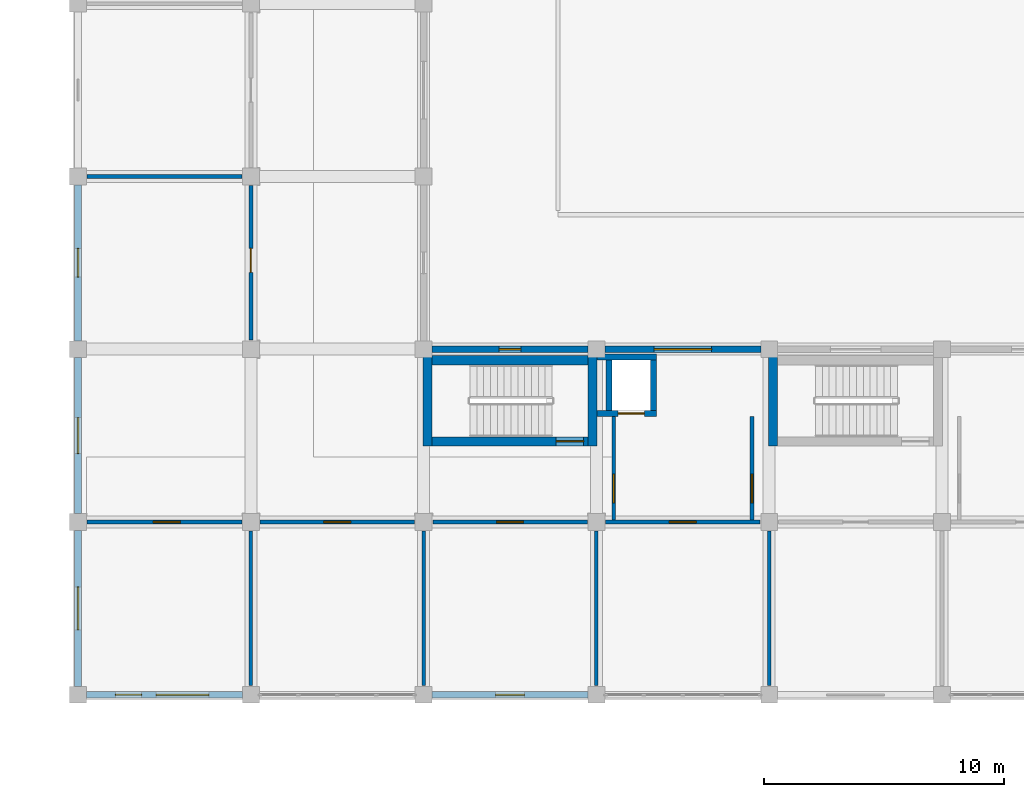
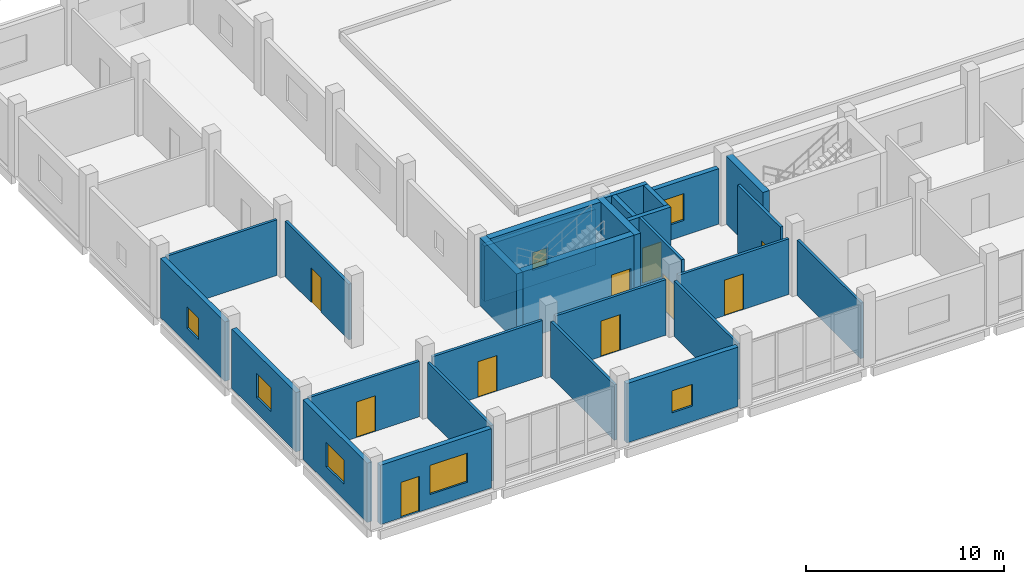
# One storey, part 110 of 139: 28 walls, 10 doors, 7 windows, 17 openings.
"""IFC4 building model written with IfcOpenShell, lengths in metres."""

from ifc_helpers import new_model, si_unit, direction, frame, frame_2d, origin, place, context, subcontext, project, spatial, rectangle, extrude, material, layer, layer_set, type_object, element, fill, save


model = new_model("IFC4")

# Units and contexts
model_context = context("Model", 3, precision=1e-05, world=origin(), true_north=direction((0.0, 1.0)))
body_context = subcontext(model_context, "Body", "Model", "MODEL_VIEW")
ifc_project = project(units=[si_unit("LENGTHUNIT", "METRE"), si_unit("AREAUNIT", "SQUARE_METRE"), si_unit("VOLUMEUNIT", "CUBIC_METRE"), si_unit("PLANEANGLEUNIT", "RADIAN"), si_unit("MASSUNIT", "GRAM", prefix="KILO")], contexts=[model_context])

# Site, building, storey
site_placement = place(None, origin())
site = spatial("IfcSite", under=ifc_project, at=site_placement, CompositionType="ELEMENT")
building_placement = place(site_placement, origin())
building = spatial("IfcBuilding", under=site, at=building_placement, Name="Suanplinth Sawtooth Commons", CompositionType="ELEMENT")
storey_placement = place(building_placement, origin())
storey = spatial("IfcBuildingStorey", under=building, at=storey_placement, Name="L00", CompositionType="ELEMENT", Elevation=0.0)

# Wall, opening, door
ifc_material_1 = material(Name="Concrete C40/50", Category="concrete")
ifc_layer_1 = layer(ifc_material_1, 0.3798828125, Name="Lower high-rise RC core shear wall 380mm")
ifc_layer_set_1 = layer_set([ifc_layer_1], Name="Concrete C40/50")
wall_type_1 = type_object("IfcWallType", Name="W-CR01", PredefinedType="SHEAR", material=ifc_layer_set_1)
wall_1_placement = place(storey_placement, frame((14.75, 10.56005859375, 0.0), z_axis=(0.0, 0.0, 1.0), x_axis=(1.0, 0.0, 0.0)))
wall_1 = element("IfcWall", 1, at=wall_1_placement, inside=storey, type_object=wall_type_1, Name="W-L00-C-D1-STS", PredefinedType="SHEAR", context=body_context, shape_type="SweptSolid", body=[
    extrude(rectangle(XDim=6.5, YDim=0.3798828125, at=frame_2d((3.25, 0.0))), origin(), (0.0, 0.0, 1.0), 4.199951171875),
])
opening_1_placement = place(wall_1_placement, frame((5.169921875, 0.0, 0.0)))
opening_1 = element("IfcOpeningElement", 2, at=opening_1_placement, cuts=wall_1, Name="Opening FD0361", PredefinedType="OPENING", context=body_context, shape_type="SweptSolid", body=[
    extrude(rectangle(XDim=1.14990234375, YDim=2.199951171875, at=frame_2d((0.574951171875, 1.10009765625))), frame((0.0, 0.204833984375, 0.0), z_axis=(0.0, -1.0, 0.0), x_axis=(1.0, 0.0, 0.0)), (0.0, 0.0, 1.0), 0.40966796875),
])
ifc_material_2 = material(Name="Teak hardwood fire-rated door assembly", Category="wood")
door_type_1 = type_object("IfcDoorType", Name="FD-01", OperationType="NOTDEFINED", PredefinedType="DOOR", material=ifc_material_2)
door_1_placement = place(opening_1_placement, frame((1.14990234375, 0.0, 0.0), z_axis=(0.0, 0.0, 1.0), x_axis=(-1.0, 0.0, 0.0)))
door_1 = element("IfcDoor", 3, at=door_1_placement, inside=storey, type_object=door_type_1, Name="Exit Stair Fire Door FD0361", OperationType="SINGLE_SWING_LEFT", OverallHeight=2.199951171875, OverallWidth=1.14990234375, PredefinedType="DOOR", context=body_context, shape_type="SweptSolid", body=[
    extrude(rectangle(XDim=1.14990234375, YDim=2.199951171875, at=frame_2d((0.574951171875, 1.10009765625))), frame((0.0, 0.02490234375, 0.0), z_axis=(0.0, -1.0, 0.0), x_axis=(1.0, 0.0, 0.0)), (0.0, 0.0, 1.0), 0.050048828125),
])
fill(opening_1, door_1)

# Walls
wall_2_placement = place(storey_placement, frame((14.75, 13.93994140625, 0.0), z_axis=(0.0, 0.0, 1.0), x_axis=(1.0, 0.0, 0.0)))
element("IfcWall", 4, at=wall_2_placement, inside=storey, type_object=wall_type_1, Name="W-L00-C-D1-STN", PredefinedType="SHEAR", context=body_context, shape_type="SweptSolid", body=[
    extrude(rectangle(XDim=6.5, YDim=0.3798828125, at=frame_2d((3.25, 0.0))), origin(), (0.0, 0.0, 1.0), 4.199951171875),
])
wall_3_placement = place(storey_placement, frame((14.56005859375, 10.3701171875, 0.0), z_axis=(0.0, 0.0, 1.0), x_axis=(0.0, 1.0, 0.0)))
element("IfcWall", 5, at=wall_3_placement, inside=storey, type_object=wall_type_1, Name="W-L00-C-D1-STW", PredefinedType="SHEAR", context=body_context, shape_type="SweptSolid", body=[
    extrude(rectangle(XDim=3.759765625, YDim=0.3798828125, at=frame_2d((1.8798828125, 0.0))), origin(), (0.0, 0.0, 1.0), 4.199951171875),
])
wall_4_placement = place(storey_placement, frame((21.43994140625, 10.3701171875, 0.0), z_axis=(0.0, 0.0, 1.0), x_axis=(0.0, 1.0, 0.0)))
element("IfcWall", 6, at=wall_4_placement, inside=storey, type_object=wall_type_1, Name="W-L00-C-D1-STE", PredefinedType="SHEAR", context=body_context, shape_type="SweptSolid", body=[
    extrude(rectangle(XDim=3.829833984375, YDim=0.3798828125, at=frame_2d((1.9150390625, 0.0))), origin(), (0.0, 0.0, 1.0), 4.199951171875),
])
wall_5_placement = place(storey_placement, frame((28.9599609375, 10.3701171875, 0.0), z_axis=(0.0, 0.0, 1.0), x_axis=(0.0, 1.0, 0.0)))
element("IfcWall", 7, at=wall_5_placement, inside=storey, type_object=wall_type_1, Name="W-L00-C-D2-STW", PredefinedType="SHEAR", context=body_context, shape_type="SweptSolid", body=[
    extrude(rectangle(XDim=3.759765625, YDim=0.3798828125, at=frame_2d((1.8798828125, 0.0))), origin(), (0.0, 0.0, 1.0), 4.199951171875),
])

# Wall, openings, door, window
ifc_material_3 = material(Name="Precast concrete C40/50", Category="concrete")
ifc_layer_2 = layer(ifc_material_3, 0.280029296875, Name="Insulated precast architectural facade wall 280mm")
ifc_layer_set_2 = layer_set([ifc_layer_2], Name="Precast concrete C40/50")
wall_type_2 = type_object("IfcWallType", Name="W-EX01", PredefinedType="ELEMENTEDWALL", material=ifc_layer_set_2)
wall_6_placement = place(storey_placement, frame((0.35009765625, 0.0, 0.0), z_axis=(0.0, 0.0, 1.0), x_axis=(1.0, 0.0, 0.0)))
wall_6 = element("IfcWall", 8, at=wall_6_placement, inside=storey, type_object=wall_type_2, Name="Facade Wall W-L00-D-S-0-0", PredefinedType="ELEMENTEDWALL", context=body_context, shape_type="SweptSolid", body=[
    extrude(rectangle(XDim=6.5, YDim=0.280029296875, at=frame_2d((3.25, 0.0))), origin(), (0.0, 0.0, 1.0), 3.6650390625),
])
opening_2_placement = place(wall_6_placement, frame((1.199951171875, 0.0, 0.0)))
opening_2 = element("IfcOpeningElement", 9, at=opening_2_placement, cuts=wall_6, Name="Opening ED0036", PredefinedType="OPENING", context=body_context, shape_type="SweptSolid", body=[
    extrude(rectangle(XDim=1.10009765625, YDim=2.199951171875, at=frame_2d((0.550048828125, 1.10009765625))), frame((0.0, 0.15478515625, 0.0), z_axis=(0.0, -1.0, 0.0), x_axis=(1.0, 0.0, 0.0)), (0.0, 0.0, 1.0), 0.309814453125),
])
opening_3_placement = place(wall_6_placement, frame((2.89990234375, 0.0, 0.85009765625)))
opening_3 = element("IfcOpeningElement", 10, at=opening_3_placement, cuts=wall_6, Name="Opening W0145", PredefinedType="OPENING", context=body_context, shape_type="SweptSolid", body=[
    extrude(rectangle(XDim=2.199951171875, YDim=1.800048828125, at=frame_2d((1.10009765625, 0.89990234375))), frame((0.0, 0.15478515625, 0.0), z_axis=(0.0, -1.0, 0.0), x_axis=(1.0, 0.0, 0.0)), (0.0, 0.0, 1.0), 0.309814453125),
])
ifc_material_4 = material(Name="Anodized aluminium and clear glass", Category="aluminium")
door_type_2 = type_object("IfcDoorType", Name="ED-06", OperationType="NOTDEFINED", PredefinedType="DOOR", material=ifc_material_4)
door_2_placement = place(opening_2_placement, frame((1.10009765625, 0.0, 0.0), z_axis=(0.0, 0.0, 1.0), x_axis=(-1.0, 0.0, 0.0)))
door_2 = element("IfcDoor", 11, at=door_2_placement, inside=storey, type_object=door_type_2, Name="Ground Shop Entrance D-0", OperationType="SINGLE_SWING_LEFT", OverallHeight=2.199951171875, OverallWidth=1.10009765625, PredefinedType="DOOR", context=body_context, shape_type="SweptSolid", body=[
    extrude(rectangle(XDim=1.10009765625, YDim=2.199951171875, at=frame_2d((0.550048828125, 1.10009765625))), frame((0.0, 0.02490234375, 0.0), z_axis=(0.0, -1.0, 0.0), x_axis=(1.0, 0.0, 0.0)), (0.0, 0.0, 1.0), 0.050048828125),
])
fill(opening_2, door_2)
ifc_material_5 = material(Name="Thermally broken aluminium and low-E double glazing", Category="aluminium")
window_type_1 = type_object("IfcWindowType", Name="WN-11", PartitioningType="TRIPLE_PANEL_VERTICAL", PredefinedType="WINDOW", material=ifc_material_5)
window_1_placement = place(opening_3_placement, origin())
window_1 = element("IfcWindow", 12, at=window_1_placement, inside=storey, type_object=window_type_1, Name="Shopfront Window D-0", OverallHeight=1.800048828125, OverallWidth=2.199951171875, PartitioningType="TRIPLE_PANEL_VERTICAL", PredefinedType="WINDOW", context=body_context, shape_type="SweptSolid", body=[
    extrude(rectangle(XDim=2.199951171875, YDim=1.800048828125, at=frame_2d((1.10009765625, 0.89990234375))), frame((0.0, 0.030029296875, 0.0), z_axis=(0.0, -1.0, 0.0), x_axis=(1.0, 0.0, 0.0)), (0.0, 0.0, 1.0), 0.06005859375),
])
fill(opening_3, window_1)

# Wall, opening, window
wall_7_placement = place(storey_placement, frame((0.0, 0.35009765625, 0.0), z_axis=(0.0, 0.0, 1.0), x_axis=(0.0, 1.0, 0.0)))
wall_7 = element("IfcWall", 13, at=wall_7_placement, inside=storey, type_object=wall_type_2, Name="Facade Wall W-L00-D-W-0-0", PredefinedType="ELEMENTEDWALL", context=body_context, shape_type="SweptSolid", body=[
    extrude(rectangle(XDim=6.5, YDim=0.280029296875, at=frame_2d((3.25, 0.0))), origin(), (0.0, 0.0, 1.0), 3.6650390625),
])
opening_4_placement = place(wall_7_placement, frame((2.35009765625, 0.0, 0.949951171875)))
opening_4 = element("IfcOpeningElement", 14, at=opening_4_placement, cuts=wall_7, Name="Opening W0146", PredefinedType="OPENING", context=body_context, shape_type="SweptSolid", body=[
    extrude(rectangle(XDim=1.800048828125, YDim=1.5, at=frame_2d((0.89990234375, 0.75))), frame((0.0, 0.15478515625, 0.0), z_axis=(0.0, -1.0, 0.0), x_axis=(1.0, 0.0, 0.0)), (0.0, 0.0, 1.0), 0.309814453125),
])
window_type_2 = type_object("IfcWindowType", Name="WN-01", PartitioningType="DOUBLE_PANEL_VERTICAL", PredefinedType="WINDOW", material=ifc_material_5)
window_2_placement = place(opening_4_placement, origin())
window_2 = element("IfcWindow", 15, at=window_2_placement, inside=storey, type_object=window_type_2, Name="Window L00-D-W-0-0", OverallHeight=1.5, OverallWidth=1.800048828125, PartitioningType="DOUBLE_PANEL_VERTICAL", PredefinedType="WINDOW", context=body_context, shape_type="SweptSolid", body=[
    extrude(rectangle(XDim=1.800048828125, YDim=1.5, at=frame_2d((0.89990234375, 0.75))), frame((0.0, 0.030029296875, 0.0), z_axis=(0.0, -1.0, 0.0), x_axis=(1.0, 0.0, 0.0)), (0.0, 0.0, 1.0), 0.06005859375),
])
fill(opening_4, window_2)

wall_8_placement = place(storey_placement, frame((0.0, 7.550048828125, 0.0), z_axis=(0.0, 0.0, 1.0), x_axis=(0.0, 1.0, 0.0)))
wall_8 = element("IfcWall", 16, at=wall_8_placement, inside=storey, type_object=wall_type_2, Name="Facade Wall W-L00-D-W-0-1", PredefinedType="ELEMENTEDWALL", context=body_context, shape_type="SweptSolid", body=[
    extrude(rectangle(XDim=6.5, YDim=0.280029296875, at=frame_2d((3.25, 0.0))), origin(), (0.0, 0.0, 1.0), 3.6650390625),
])
opening_5_placement = place(wall_8_placement, frame((2.5, 0.0, 0.949951171875)))
opening_5 = element("IfcOpeningElement", 17, at=opening_5_placement, cuts=wall_8, Name="Opening W0147", PredefinedType="OPENING", context=body_context, shape_type="SweptSolid", body=[
    extrude(rectangle(XDim=1.5, YDim=1.5, at=frame_2d((0.75, 0.75))), frame((0.0, 0.15478515625, 0.0), z_axis=(0.0, -1.0, 0.0), x_axis=(1.0, 0.0, 0.0)), (0.0, 0.0, 1.0), 0.309814453125),
])
window_type_3 = type_object("IfcWindowType", Name="WN-02", PartitioningType="DOUBLE_PANEL_VERTICAL", PredefinedType="WINDOW", material=ifc_material_5)
window_3_placement = place(opening_5_placement, origin())
window_3 = element("IfcWindow", 18, at=window_3_placement, inside=storey, type_object=window_type_3, Name="Window L00-D-W-0-1", OverallHeight=1.5, OverallWidth=1.5, PartitioningType="DOUBLE_PANEL_VERTICAL", PredefinedType="WINDOW", context=body_context, shape_type="SweptSolid", body=[
    extrude(rectangle(XDim=1.5, YDim=1.5, at=frame_2d((0.75, 0.75))), frame((0.0, 0.030029296875, 0.0), z_axis=(0.0, -1.0, 0.0), x_axis=(1.0, 0.0, 0.0)), (0.0, 0.0, 1.0), 0.06005859375),
])
fill(opening_5, window_3)

wall_9_placement = place(storey_placement, frame((0.0, 14.75, 0.0), z_axis=(0.0, 0.0, 1.0), x_axis=(0.0, 1.0, 0.0)))
wall_9 = element("IfcWall", 19, at=wall_9_placement, inside=storey, type_object=wall_type_2, Name="Facade Wall W-L00-D-W-0-2", PredefinedType="ELEMENTEDWALL", context=body_context, shape_type="SweptSolid", body=[
    extrude(rectangle(XDim=6.5, YDim=0.280029296875, at=frame_2d((3.25, 0.0))), origin(), (0.0, 0.0, 1.0), 3.6650390625),
])
opening_6_placement = place(wall_9_placement, frame((2.64990234375, 0.0, 0.949951171875)))
opening_6 = element("IfcOpeningElement", 20, at=opening_6_placement, cuts=wall_9, Name="Opening W0148", PredefinedType="OPENING", context=body_context, shape_type="SweptSolid", body=[
    extrude(rectangle(XDim=1.199951171875, YDim=1.35009765625, at=frame_2d((0.60009765625, 0.675048828125))), frame((0.0, 0.15478515625, 0.0), z_axis=(0.0, -1.0, 0.0), x_axis=(1.0, 0.0, 0.0)), (0.0, 0.0, 1.0), 0.309814453125),
])
window_type_4 = type_object("IfcWindowType", Name="WN-03", PartitioningType="SINGLE_PANEL", PredefinedType="WINDOW", material=ifc_material_5)
window_4_placement = place(opening_6_placement, origin())
window_4 = element("IfcWindow", 21, at=window_4_placement, inside=storey, type_object=window_type_4, Name="Window L00-D-W-0-2", OverallHeight=1.35009765625, OverallWidth=1.199951171875, PartitioningType="SINGLE_PANEL", PredefinedType="WINDOW", context=body_context, shape_type="SweptSolid", body=[
    extrude(rectangle(XDim=1.199951171875, YDim=1.35009765625, at=frame_2d((0.60009765625, 0.675048828125))), frame((0.0, 0.030029296875, 0.0), z_axis=(0.0, -1.0, 0.0), x_axis=(1.0, 0.0, 0.0)), (0.0, 0.0, 1.0), 0.06005859375),
])
fill(opening_6, window_4)

wall_10_placement = place(storey_placement, frame((14.75, 0.0, 0.0), z_axis=(0.0, 0.0, 1.0), x_axis=(1.0, 0.0, 0.0)))
wall_10 = element("IfcWall", 22, at=wall_10_placement, inside=storey, type_object=wall_type_2, Name="Facade Wall W-L00-D-S-2-0", PredefinedType="ELEMENTEDWALL", context=body_context, shape_type="SweptSolid", body=[
    extrude(rectangle(XDim=6.5, YDim=0.280029296875, at=frame_2d((3.25, 0.0))), origin(), (0.0, 0.0, 1.0), 3.6650390625),
])
opening_7_placement = place(wall_10_placement, frame((2.64990234375, 0.0, 0.949951171875)))
opening_7 = element("IfcOpeningElement", 23, at=opening_7_placement, cuts=wall_10, Name="Opening W0158", PredefinedType="OPENING", context=body_context, shape_type="SweptSolid", body=[
    extrude(rectangle(XDim=1.199951171875, YDim=1.35009765625, at=frame_2d((0.60009765625, 0.675048828125))), frame((0.0, 0.15478515625, 0.0), z_axis=(0.0, -1.0, 0.0), x_axis=(1.0, 0.0, 0.0)), (0.0, 0.0, 1.0), 0.309814453125),
])
window_5_placement = place(opening_7_placement, origin())
window_5 = element("IfcWindow", 24, at=window_5_placement, inside=storey, type_object=window_type_4, Name="Window L00-D-S-2-0", OverallHeight=1.35009765625, OverallWidth=1.199951171875, PartitioningType="SINGLE_PANEL", PredefinedType="WINDOW", context=body_context, shape_type="SweptSolid", body=[
    extrude(rectangle(XDim=1.199951171875, YDim=1.35009765625, at=frame_2d((0.60009765625, 0.675048828125))), frame((0.0, 0.030029296875, 0.0), z_axis=(0.0, -1.0, 0.0), x_axis=(1.0, 0.0, 0.0)), (0.0, 0.0, 1.0), 0.06005859375),
])
fill(opening_7, window_5)

wall_11_placement = place(storey_placement, frame((14.75, 14.39990234375, 0.0), z_axis=(0.0, 0.0, 1.0), x_axis=(1.0, 0.0, 0.0)))
wall_11 = element("IfcWall", 25, at=wall_11_placement, inside=storey, type_object=wall_type_2, Name="Facade Wall W-L00-D-N-2-1", PredefinedType="ELEMENTEDWALL", context=body_context, shape_type="SweptSolid", body=[
    extrude(rectangle(XDim=6.5, YDim=0.280029296875, at=frame_2d((3.25, 0.0))), origin(), (0.0, 0.0, 1.0), 3.43505859375),
])
opening_8_placement = place(wall_11_placement, frame((2.800048828125, 0.0, 0.949951171875)))
opening_8 = element("IfcOpeningElement", 26, at=opening_8_placement, cuts=wall_11, Name="Opening W0159", PredefinedType="OPENING", context=body_context, shape_type="SweptSolid", body=[
    extrude(rectangle(XDim=0.89990234375, YDim=1.10009765625, at=frame_2d((0.449951171875, 0.550048828125))), frame((0.0, 0.15478515625, 0.0), z_axis=(0.0, -1.0, 0.0), x_axis=(1.0, 0.0, 0.0)), (0.0, 0.0, 1.0), 0.309814453125),
])
window_type_5 = type_object("IfcWindowType", Name="WN-04", PartitioningType="SINGLE_PANEL", PredefinedType="WINDOW", material=ifc_material_5)
window_6_placement = place(opening_8_placement, origin())
window_6 = element("IfcWindow", 27, at=window_6_placement, inside=storey, type_object=window_type_5, Name="Window L00-D-N-2-1", OverallHeight=1.10009765625, OverallWidth=0.89990234375, PartitioningType="SINGLE_PANEL", PredefinedType="WINDOW", context=body_context, shape_type="SweptSolid", body=[
    extrude(rectangle(XDim=0.89990234375, YDim=1.10009765625, at=frame_2d((0.449951171875, 0.550048828125))), frame((0.0, 0.030029296875, 0.0), z_axis=(0.0, -1.0, 0.0), x_axis=(1.0, 0.0, 0.0)), (0.0, 0.0, 1.0), 0.06005859375),
])
fill(opening_8, window_6)

wall_12_placement = place(storey_placement, frame((21.949951171875, 14.39990234375, 0.0), z_axis=(0.0, 0.0, 1.0), x_axis=(1.0, 0.0, 0.0)))
wall_12 = element("IfcWall", 28, at=wall_12_placement, inside=storey, type_object=wall_type_2, Name="Facade Wall W-L00-D-N-3-1", PredefinedType="ELEMENTEDWALL", context=body_context, shape_type="SweptSolid", body=[
    extrude(rectangle(XDim=6.5, YDim=0.280029296875, at=frame_2d((3.25, 0.0))), origin(), (0.0, 0.0, 1.0), 3.43505859375),
])
opening_9_placement = place(wall_12_placement, frame((2.050048828125, 0.0, 0.949951171875)))
opening_9 = element("IfcOpeningElement", 29, at=opening_9_placement, cuts=wall_12, Name="Opening W0160", PredefinedType="OPENING", context=body_context, shape_type="SweptSolid", body=[
    extrude(rectangle(XDim=2.39990234375, YDim=1.64990234375, at=frame_2d((1.199951171875, 0.824951171875))), frame((0.0, 0.15478515625, 0.0), z_axis=(0.0, -1.0, 0.0), x_axis=(1.0, 0.0, 0.0)), (0.0, 0.0, 1.0), 0.309814453125),
])
window_type_6 = type_object("IfcWindowType", Name="WN-05", PartitioningType="TRIPLE_PANEL_VERTICAL", PredefinedType="WINDOW", material=ifc_material_5)
window_7_placement = place(opening_9_placement, origin())
window_7 = element("IfcWindow", 30, at=window_7_placement, inside=storey, type_object=window_type_6, Name="Window L00-D-N-3-1", OverallHeight=1.64990234375, OverallWidth=2.39990234375, PartitioningType="TRIPLE_PANEL_VERTICAL", PredefinedType="WINDOW", context=body_context, shape_type="SweptSolid", body=[
    extrude(rectangle(XDim=2.39990234375, YDim=1.64990234375, at=frame_2d((1.199951171875, 0.824951171875))), frame((0.0, 0.030029296875, 0.0), z_axis=(0.0, -1.0, 0.0), x_axis=(1.0, 0.0, 0.0)), (0.0, 0.0, 1.0), 0.06005859375),
])
fill(opening_9, window_7)

# Wall, opening, door
ifc_layer_3 = layer(ifc_material_3, 0.159912109375, Name="Fire-rated corridor and lobby wall 160mm")
ifc_layer_set_3 = layer_set([ifc_layer_3], Name="Precast concrete C40/50")
wall_type_3 = type_object("IfcWallType", Name="W-FW01", PredefinedType="PARTITIONING", material=ifc_layer_set_3)
wall_13_placement = place(storey_placement, frame((22.320068359375, 7.280029296875, 0.0), z_axis=(0.0, 0.0, 1.0), x_axis=(0.0, 1.0, 0.0)))
wall_13 = element("IfcWall", 31, at=wall_13_placement, inside=storey, type_object=wall_type_3, Name="W-L00-C-D1-LOB-W", PredefinedType="PARTITIONING", context=body_context, shape_type="SweptSolid", body=[
    extrude(rectangle(XDim=4.320068359375, YDim=0.159912109375, at=frame_2d((2.16015625, 0.0))), origin(), (0.0, 0.0, 1.0), 4.199951171875),
])
opening_10_placement = place(wall_13_placement, frame((0.719970703125, 0.0, 0.0)))
opening_10 = element("IfcOpeningElement", 32, at=opening_10_placement, cuts=wall_13, Name="Opening FD0362", PredefinedType="OPENING", context=body_context, shape_type="SweptSolid", body=[
    extrude(rectangle(XDim=1.199951171875, YDim=2.199951171875, at=frame_2d((0.60009765625, 1.10009765625))), frame((0.0, 0.0947265625, 0.0), z_axis=(0.0, -1.0, 0.0), x_axis=(1.0, 0.0, 0.0)), (0.0, 0.0, 1.0), 0.189697265625),
])
door_type_3 = type_object("IfcDoorType", Name="FD-02", OperationType="NOTDEFINED", PredefinedType="DOOR", material=ifc_material_2)
door_3_placement = place(opening_10_placement, origin())
door_3 = element("IfcDoor", 33, at=door_3_placement, inside=storey, type_object=door_type_3, Name="Lobby Fire Door FD0362", OperationType="SINGLE_SWING_RIGHT", OverallHeight=2.199951171875, OverallWidth=1.199951171875, PredefinedType="DOOR", context=body_context, shape_type="SweptSolid", body=[
    extrude(rectangle(XDim=1.199951171875, YDim=2.199951171875, at=frame_2d((0.60009765625, 1.10009765625))), frame((0.0, 0.02490234375, 0.0), z_axis=(0.0, -1.0, 0.0), x_axis=(1.0, 0.0, 0.0)), (0.0, 0.0, 1.0), 0.050048828125),
])
fill(opening_10, door_3)

wall_14_placement = place(storey_placement, frame((28.080078125, 7.280029296875, 0.0), z_axis=(0.0, 0.0, 1.0), x_axis=(0.0, 1.0, 0.0)))
wall_14 = element("IfcWall", 34, at=wall_14_placement, inside=storey, type_object=wall_type_3, Name="W-L00-C-D1-LOB-E", PredefinedType="PARTITIONING", context=body_context, shape_type="SweptSolid", body=[
    extrude(rectangle(XDim=4.320068359375, YDim=0.159912109375, at=frame_2d((2.16015625, 0.0))), origin(), (0.0, 0.0, 1.0), 4.199951171875),
])
opening_11_placement = place(wall_14_placement, frame((0.719970703125, 0.0, 0.0)))
opening_11 = element("IfcOpeningElement", 35, at=opening_11_placement, cuts=wall_14, Name="Opening FD0363", PredefinedType="OPENING", context=body_context, shape_type="SweptSolid", body=[
    extrude(rectangle(XDim=1.199951171875, YDim=2.199951171875, at=frame_2d((0.60009765625, 1.10009765625))), frame((0.0, 0.0947265625, 0.0), z_axis=(0.0, -1.0, 0.0), x_axis=(1.0, 0.0, 0.0)), (0.0, 0.0, 1.0), 0.189697265625),
])
door_4_placement = place(opening_11_placement, frame((1.199951171875, 0.0, 0.0), z_axis=(0.0, 0.0, 1.0), x_axis=(-1.0, 0.0, 0.0)))
door_4 = element("IfcDoor", 36, at=door_4_placement, inside=storey, type_object=door_type_3, Name="Lobby Fire Door FD0363", OperationType="SINGLE_SWING_LEFT", OverallHeight=2.199951171875, OverallWidth=1.199951171875, PredefinedType="DOOR", context=body_context, shape_type="SweptSolid", body=[
    extrude(rectangle(XDim=1.199951171875, YDim=2.199951171875, at=frame_2d((0.60009765625, 1.10009765625))), frame((0.0, 0.02490234375, 0.0), z_axis=(0.0, -1.0, 0.0), x_axis=(1.0, 0.0, 0.0)), (0.0, 0.0, 1.0), 0.050048828125),
])
fill(opening_11, door_4)

wall_15_placement = place(storey_placement, frame((0.3798828125, 7.199951171875, 0.0), z_axis=(0.0, 0.0, 1.0), x_axis=(1.0, 0.0, 0.0)))
wall_15 = element("IfcWall", 37, at=wall_15_placement, inside=storey, type_object=wall_type_3, Name="W-D-L00-GROUNDROOM-42-COR", PredefinedType="PARTITIONING", context=body_context, shape_type="SweptSolid", body=[
    extrude(rectangle(XDim=6.440185546875, YDim=0.159912109375, at=frame_2d((3.22021484375, 0.0))), origin(), (0.0, 0.0, 1.0), 3.43505859375),
])
opening_12_placement = place(wall_15_placement, frame((2.760009765625, 0.0, 0.0)))
opening_12 = element("IfcOpeningElement", 38, at=opening_12_placement, cuts=wall_15, Name="Opening D0512", PredefinedType="OPENING", context=body_context, shape_type="SweptSolid", body=[
    extrude(rectangle(XDim=1.1201171875, YDim=2.199951171875, at=frame_2d((0.56005859375, 1.10009765625))), frame((0.0, 0.0947265625, 0.0), z_axis=(0.0, -1.0, 0.0), x_axis=(1.0, 0.0, 0.0)), (0.0, 0.0, 1.0), 0.189697265625),
])
ifc_material_6 = material(Name="Teak hardwood", Category="wood")
door_type_4 = type_object("IfcDoorType", Name="D-18", OperationType="NOTDEFINED", PredefinedType="DOOR", material=ifc_material_6)
door_5_placement = place(opening_12_placement, frame((1.1201171875, 0.0, 0.0), z_axis=(0.0, 0.0, 1.0), x_axis=(-1.0, 0.0, 0.0)))
door_5 = element("IfcDoor", 39, at=door_5_placement, inside=storey, type_object=door_type_4, Name="Unit Entrance Door D0512", OperationType="SINGLE_SWING_RIGHT", OverallHeight=2.199951171875, OverallWidth=1.1201171875, PredefinedType="DOOR", context=body_context, shape_type="SweptSolid", body=[
    extrude(rectangle(XDim=1.1201171875, YDim=2.199951171875, at=frame_2d((0.56005859375, 1.10009765625))), frame((0.0, 0.02490234375, 0.0), z_axis=(0.0, -1.0, 0.0), x_axis=(1.0, 0.0, 0.0)), (0.0, 0.0, 1.0), 0.050048828125),
])
fill(opening_12, door_5)

wall_16_placement = place(storey_placement, frame((7.580078125, 7.199951171875, 0.0), z_axis=(0.0, 0.0, 1.0), x_axis=(1.0, 0.0, 0.0)))
wall_16 = element("IfcWall", 40, at=wall_16_placement, inside=storey, type_object=wall_type_3, Name="W-D-L00-GROUNDROOM-43-COR", PredefinedType="PARTITIONING", context=body_context, shape_type="SweptSolid", body=[
    extrude(rectangle(XDim=6.43994140625, YDim=0.159912109375, at=frame_2d((3.219970703125, 0.0))), origin(), (0.0, 0.0, 1.0), 3.43505859375),
])
opening_13_placement = place(wall_16_placement, frame((2.659912109375, 0.0, 0.0)))
opening_13 = element("IfcOpeningElement", 41, at=opening_13_placement, cuts=wall_16, Name="Opening D0513", PredefinedType="OPENING", context=body_context, shape_type="SweptSolid", body=[
    extrude(rectangle(XDim=1.1201171875, YDim=2.199951171875, at=frame_2d((0.56005859375, 1.10009765625))), frame((0.0, 0.0947265625, 0.0), z_axis=(0.0, -1.0, 0.0), x_axis=(1.0, 0.0, 0.0)), (0.0, 0.0, 1.0), 0.189697265625),
])
door_6_placement = place(opening_13_placement, frame((1.1201171875, 0.0, 0.0), z_axis=(0.0, 0.0, 1.0), x_axis=(-1.0, 0.0, 0.0)))
door_6 = element("IfcDoor", 42, at=door_6_placement, inside=storey, type_object=door_type_4, Name="Unit Entrance Door D0513", OperationType="SINGLE_SWING_LEFT", OverallHeight=2.199951171875, OverallWidth=1.1201171875, PredefinedType="DOOR", context=body_context, shape_type="SweptSolid", body=[
    extrude(rectangle(XDim=1.1201171875, YDim=2.199951171875, at=frame_2d((0.56005859375, 1.10009765625))), frame((0.0, 0.02490234375, 0.0), z_axis=(0.0, -1.0, 0.0), x_axis=(1.0, 0.0, 0.0)), (0.0, 0.0, 1.0), 0.050048828125),
])
fill(opening_13, door_6)

wall_17_placement = place(storey_placement, frame((14.780029296875, 7.199951171875, 0.0), z_axis=(0.0, 0.0, 1.0), x_axis=(1.0, 0.0, 0.0)))
wall_17 = element("IfcWall", 43, at=wall_17_placement, inside=storey, type_object=wall_type_3, Name="W-D-L00-GROUNDROOM-44-COR", PredefinedType="PARTITIONING", context=body_context, shape_type="SweptSolid", body=[
    extrude(rectangle(XDim=6.43994140625, YDim=0.159912109375, at=frame_2d((3.219970703125, 0.0))), origin(), (0.0, 0.0, 1.0), 3.43505859375),
])
opening_14_placement = place(wall_17_placement, frame((2.659912109375, 0.0, 0.0)))
opening_14 = element("IfcOpeningElement", 44, at=opening_14_placement, cuts=wall_17, Name="Opening D0514", PredefinedType="OPENING", context=body_context, shape_type="SweptSolid", body=[
    extrude(rectangle(XDim=1.1201171875, YDim=2.199951171875, at=frame_2d((0.56005859375, 1.10009765625))), frame((0.0, 0.0947265625, 0.0), z_axis=(0.0, -1.0, 0.0), x_axis=(1.0, 0.0, 0.0)), (0.0, 0.0, 1.0), 0.189697265625),
])
door_7_placement = place(opening_14_placement, frame((1.1201171875, 0.0, 0.0), z_axis=(0.0, 0.0, 1.0), x_axis=(-1.0, 0.0, 0.0)))
door_7 = element("IfcDoor", 45, at=door_7_placement, inside=storey, type_object=door_type_4, Name="Unit Entrance Door D0514", OperationType="SINGLE_SWING_RIGHT", OverallHeight=2.199951171875, OverallWidth=1.1201171875, PredefinedType="DOOR", context=body_context, shape_type="SweptSolid", body=[
    extrude(rectangle(XDim=1.1201171875, YDim=2.199951171875, at=frame_2d((0.56005859375, 1.10009765625))), frame((0.0, 0.02490234375, 0.0), z_axis=(0.0, -1.0, 0.0), x_axis=(1.0, 0.0, 0.0)), (0.0, 0.0, 1.0), 0.050048828125),
])
fill(opening_14, door_7)

wall_18_placement = place(storey_placement, frame((21.97998046875, 7.199951171875, 0.0), z_axis=(0.0, 0.0, 1.0), x_axis=(1.0, 0.0, 0.0)))
wall_18 = element("IfcWall", 46, at=wall_18_placement, inside=storey, type_object=wall_type_3, Name="W-D-L00-GROUNDROOM-45-COR", PredefinedType="PARTITIONING", context=body_context, shape_type="SweptSolid", body=[
    extrude(rectangle(XDim=6.43994140625, YDim=0.159912109375, at=frame_2d((3.219970703125, 0.0))), origin(), (0.0, 0.0, 1.0), 3.43505859375),
])
opening_15_placement = place(wall_18_placement, frame((2.659912109375, 0.0, 0.0)))
opening_15 = element("IfcOpeningElement", 47, at=opening_15_placement, cuts=wall_18, Name="Opening D0515", PredefinedType="OPENING", context=body_context, shape_type="SweptSolid", body=[
    extrude(rectangle(XDim=1.1201171875, YDim=2.199951171875, at=frame_2d((0.56005859375, 1.10009765625))), frame((0.0, 0.0947265625, 0.0), z_axis=(0.0, -1.0, 0.0), x_axis=(1.0, 0.0, 0.0)), (0.0, 0.0, 1.0), 0.189697265625),
])
door_8_placement = place(opening_15_placement, frame((1.1201171875, 0.0, 0.0), z_axis=(0.0, 0.0, 1.0), x_axis=(-1.0, 0.0, 0.0)))
door_8 = element("IfcDoor", 48, at=door_8_placement, inside=storey, type_object=door_type_4, Name="Unit Entrance Door D0515", OperationType="SINGLE_SWING_LEFT", OverallHeight=2.199951171875, OverallWidth=1.1201171875, PredefinedType="DOOR", context=body_context, shape_type="SweptSolid", body=[
    extrude(rectangle(XDim=1.1201171875, YDim=2.199951171875, at=frame_2d((0.56005859375, 1.10009765625))), frame((0.0, 0.02490234375, 0.0), z_axis=(0.0, -1.0, 0.0), x_axis=(1.0, 0.0, 0.0)), (0.0, 0.0, 1.0), 0.050048828125),
])
fill(opening_15, door_8)

wall_19_placement = place(storey_placement, frame((7.199951171875, 14.780029296875, 0.0), z_axis=(0.0, 0.0, 1.0), x_axis=(0.0, 1.0, 0.0)))
wall_19 = element("IfcWall", 49, at=wall_19_placement, inside=storey, type_object=wall_type_3, Name="W-D-L00-GROUNDROOM-50-COR", PredefinedType="PARTITIONING", context=body_context, shape_type="SweptSolid", body=[
    extrude(rectangle(XDim=6.43994140625, YDim=0.159912109375, at=frame_2d((3.219970703125, 0.0))), origin(), (0.0, 0.0, 1.0), 3.43505859375),
])
opening_16_placement = place(wall_19_placement, frame((2.820068359375, 0.0, 0.0)))
opening_16 = element("IfcOpeningElement", 50, at=opening_16_placement, cuts=wall_19, Name="Opening FD0520", PredefinedType="OPENING", context=body_context, shape_type="SweptSolid", body=[
    extrude(rectangle(XDim=1.0, YDim=2.14990234375, at=frame_2d((0.5, 1.074951171875))), frame((0.0, 0.0947265625, 0.0), z_axis=(0.0, -1.0, 0.0), x_axis=(1.0, 0.0, 0.0)), (0.0, 0.0, 1.0), 0.189697265625),
])
door_type_5 = type_object("IfcDoorType", Name="FD-03", OperationType="NOTDEFINED", PredefinedType="DOOR", material=ifc_material_2)
door_9_placement = place(opening_16_placement, origin())
door_9 = element("IfcDoor", 51, at=door_9_placement, inside=storey, type_object=door_type_5, Name="Wing Unit Entrance Door FD0520", OperationType="SINGLE_SWING_RIGHT", OverallHeight=2.14990234375, OverallWidth=1.0, PredefinedType="DOOR", context=body_context, shape_type="SweptSolid", body=[
    extrude(rectangle(XDim=1.0, YDim=2.14990234375, at=frame_2d((0.5, 1.074951171875))), frame((0.0, 0.02490234375, 0.0), z_axis=(0.0, -1.0, 0.0), x_axis=(1.0, 0.0, 0.0)), (0.0, 0.0, 1.0), 0.050048828125),
])
fill(opening_16, door_9)

# Walls
ifc_layer_4 = layer(ifc_material_3, 0.14990234375, Name="Acoustic precast party demising wall 150mm")
ifc_layer_set_4 = layer_set([ifc_layer_4], Name="Precast concrete C40/50")
wall_type_4 = type_object("IfcWallType", Name="W-FW02", PredefinedType="PARTITIONING", material=ifc_layer_set_4)
for number, where, z_axis, x_axis, name in (
    (52, (7.199951171875, 0.3798828125, 0.0), (0.0, 0.0, 1.0), (0.0, 1.0, 0.0), "W-D-L00-GROUNDROOM-42-PTY"),
    (53, (14.39990234375, 0.3798828125, 0.0), (0.0, 0.0, 1.0), (0.0, 1.0, 0.0), "W-D-L00-GROUNDROOM-43-PTY"),
    (54, (21.60009765625, 0.3798828125, 0.0), (0.0, 0.0, 1.0), (0.0, 1.0, 0.0), "W-D-L00-GROUNDROOM-44-PTY"),
    (55, (28.800048828125, 0.3798828125, 0.0), (0.0, 0.0, 1.0), (0.0, 1.0, 0.0), "W-D-L00-GROUNDROOM-45-PTY"),
    (56, (0.3798828125, 21.60009765625, 0.0), (0.0, 0.0, 1.0), (1.0, 0.0, 0.0), "W-D-L00-GROUNDROOM-50-PTY"),
):
    element("IfcWall", number, at=place(storey_placement, frame(where, z_axis=z_axis, x_axis=x_axis)), inside=storey, type_object=wall_type_4, Name=name, PredefinedType="PARTITIONING", context=body_context, shape_type="SweptSolid", body=[
        extrude(rectangle(XDim=6.440185546875, YDim=0.14990234375, at=frame_2d((3.22021484375, 0.0))), origin(), (0.0, 0.0, 1.0), 3.43505859375),
    ])

# Wall, opening, door
ifc_layer_5 = layer(ifc_material_3, 0.25, Name="Precast structural shear wall 250mm")
ifc_layer_set_5 = layer_set([ifc_layer_5], Name="Precast concrete C40/50")
wall_type_5 = type_object("IfcWallType", Name="W-SH01", PredefinedType="SHEAR", material=ifc_layer_set_5)
wall_20_placement = place(storey_placement, frame((21.6298828125, 11.72509765625, 0.0), z_axis=(0.0, 0.0, 1.0), x_axis=(1.0, 0.0, 0.0)))
wall_20 = element("IfcWall", 57, at=wall_20_placement, inside=storey, type_object=wall_type_5, Name="W-L00-LF6-S", PredefinedType="SHEAR", context=body_context, shape_type="SweptSolid", body=[
    extrude(rectangle(XDim=2.47021484375, YDim=0.25, at=frame_2d((1.235107421875, 0.0))), origin(), (0.0, 0.0, 1.0), 4.199951171875),
])
opening_17_placement = place(wall_20_placement, frame((0.8701171875, 0.0, 0.0)))
opening_17 = element("IfcOpeningElement", 58, at=opening_17_placement, cuts=wall_20, Name="Opening LD0364", PredefinedType="OPENING", context=body_context, shape_type="SweptSolid", body=[
    extrude(rectangle(XDim=1.10009765625, YDim=2.14990234375, at=frame_2d((0.550048828125, 1.074951171875))), frame((0.0, 0.139892578125, 0.0), z_axis=(0.0, -1.0, 0.0), x_axis=(1.0, 0.0, 0.0)), (0.0, 0.0, 1.0), 0.27978515625),
])
ifc_material_7 = material(Name="Stainless steel Grade 304", Category="steel")
door_type_6 = type_object("IfcDoorType", Name="LD-01", OperationType="SLIDING_TO_LEFT", PredefinedType="DOOR", material=ifc_material_7)
door_10_placement = place(opening_17_placement, frame((1.10009765625, 0.0, 0.0), z_axis=(0.0, 0.0, 1.0), x_axis=(-1.0, 0.0, 0.0)))
door_10 = element("IfcDoor", 59, at=door_10_placement, inside=storey, type_object=door_type_6, Name="Lift Landing Sliding Door LF6 L00", OperationType="SLIDING_TO_LEFT", OverallHeight=2.14990234375, OverallWidth=1.10009765625, PredefinedType="DOOR", context=body_context, shape_type="SweptSolid", body=[
    extrude(rectangle(XDim=1.10009765625, YDim=2.14990234375, at=frame_2d((0.550048828125, 1.074951171875))), frame((0.0, 0.02490234375, 0.0), z_axis=(0.0, -1.0, 0.0), x_axis=(1.0, 0.0, 0.0)), (0.0, 0.0, 1.0), 0.050048828125),
])
fill(opening_17, door_10)

# Walls
wall_21_placement = place(storey_placement, frame((21.6298828125, 14.074951171875, 0.0), z_axis=(0.0, 0.0, 1.0), x_axis=(1.0, 0.0, 0.0)))
element("IfcWall", 60, at=wall_21_placement, inside=storey, type_object=wall_type_5, Name="W-L00-LF6-N", PredefinedType="SHEAR", context=body_context, shape_type="SweptSolid", body=[
    extrude(rectangle(XDim=2.47021484375, YDim=0.25, at=frame_2d((1.235107421875, 0.0))), origin(), (0.0, 0.0, 1.0), 4.199951171875),
])
for number, where, z_axis, x_axis, name in (
    (61, (22.125, 11.85009765625, 0.0), (0.0, 0.0, 1.0), (0.0, 1.0, 0.0), "W-L00-LF6-W"),
    (62, (23.97509765625, 11.85009765625, 0.0), (0.0, 0.0, 1.0), (0.0, 1.0, 0.0), "W-L00-LF6-E"),
):
    element("IfcWall", number, at=place(storey_placement, frame(where, z_axis=z_axis, x_axis=x_axis)), inside=storey, type_object=wall_type_5, Name=name, PredefinedType="SHEAR", context=body_context, shape_type="SweptSolid", body=[
        extrude(rectangle(XDim=2.099853515625, YDim=0.25, at=frame_2d((1.0498046875, 0.0))), origin(), (0.0, 0.0, 1.0), 4.199951171875),
    ])

save(model, "model.ifc")
